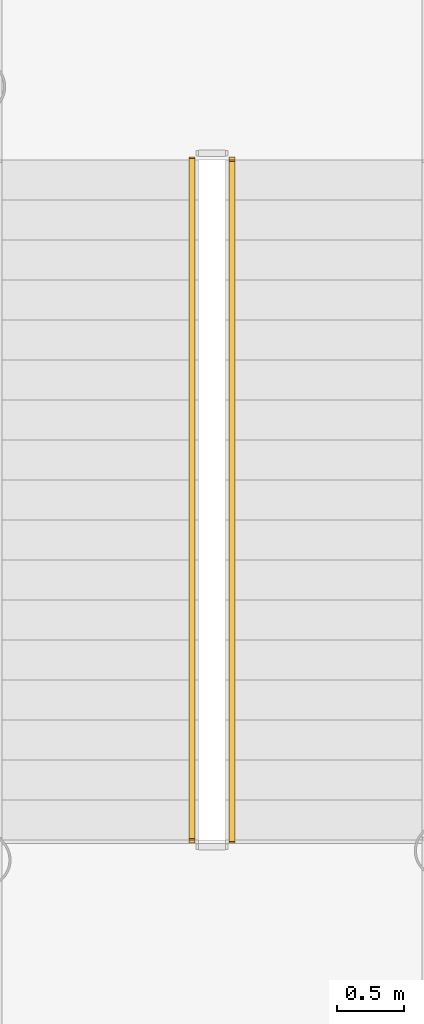
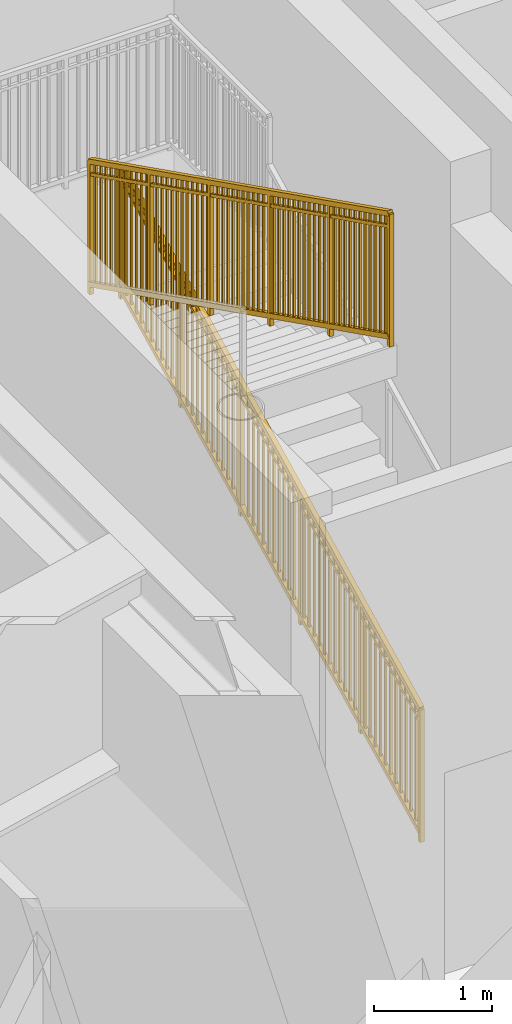
# One storey, part 31 of 39: 2 railings.
"""IFC4 building model written with IfcOpenShell, lengths in metres."""

from ifc_helpers import new_model, si_unit, direction, frame, origin, origin_2d, place, context, subcontext, project, spatial, rectangle, extrude, source, transform, mapped, material, type_object, element, save


model = new_model("IFC4")

# Units and contexts
model_context = context("Model", 3, precision=1e-05, world=origin(), true_north=direction((0.0, 1.0)))
body_context = subcontext(model_context, "Body", "Model", "MODEL_VIEW")
ifc_project = project(units=[si_unit("LENGTHUNIT", "METRE"), si_unit("AREAUNIT", "SQUARE_METRE"), si_unit("VOLUMEUNIT", "CUBIC_METRE"), si_unit("PLANEANGLEUNIT", "RADIAN"), si_unit("MASSUNIT", "GRAM", prefix="KILO")], contexts=[model_context])

# Site, building, storey
site_placement = place(None, origin())
site = spatial("IfcSite", under=ifc_project, at=site_placement, CompositionType="ELEMENT")
building_placement = place(site_placement, origin())
building = spatial("IfcBuilding", under=site, at=building_placement, Name="Linh Dai School and Residence Tower", CompositionType="ELEMENT")
storey_placement = place(building_placement, frame((0.0, 0.0, 27.0)))
storey = spatial("IfcBuildingStorey", under=building, at=storey_placement, Name="L06", CompositionType="ELEMENT", Elevation=27.0)

# Railings
ifc_material = material(Name="Structural Steel S355JR", Category="steel")
railing_type = type_object("IfcRailingType", Name="RL-ST-GUARD-1400", PredefinedType="GUARDRAIL", material=ifc_material)
shared_shape_1 = source(origin(), body_context, "Body", "SweptSolid", [
    extrude(rectangle(XDim=0.048095703125, YDim=0.048095703125, at=origin_2d()), frame((0.0, 0.0, 1.3759765625), z_axis=(0.0, 0.894427191, 0.4472135955), x_axis=(-1.0, 0.0, 0.0)), (0.0, 0.0, 1.0), 5.7021484375),
    extrude(rectangle(XDim=0.048095703125, YDim=0.048095703125, at=origin_2d()), frame((0.0, 0.0, 0.10009765625), z_axis=(0.0, 0.894427191, 0.4472135955), x_axis=(-1.0, 0.0, 0.0)), (0.0, 0.0, 1.0), 5.7021484375),
    extrude(rectangle(XDim=0.030029296875, YDim=0.030029296875, at=origin_2d()), frame((0.0, 0.0, 1.239990234375), z_axis=(0.0, 0.894427191, 0.4472135955), x_axis=(-1.0, 0.0, 0.0)), (0.0, 0.0, 1.0), 5.7021484375),
    extrude(rectangle(XDim=0.02001953125, YDim=0.02001953125, at=origin_2d()), frame((0.0, 0.08642578125, 0.143310546875)), (0.0, 0.0, 1.0), 1.251708984375),
    extrude(rectangle(XDim=0.02001953125, YDim=0.02001953125, at=origin_2d()), frame((0.0, 0.1728515625, 0.1865234375)), (0.0, 0.0, 1.0), 1.251708984375),
    extrude(rectangle(XDim=0.02001953125, YDim=0.02001953125, at=origin_2d()), frame((0.0, 0.25927734375, 0.229736328125)), (0.0, 0.0, 1.0), 1.251708984375),
    extrude(rectangle(XDim=0.02001953125, YDim=0.02001953125, at=origin_2d()), frame((0.0, 0.345703125, 0.27294921875)), (0.0, 0.0, 1.0), 1.251708984375),
    extrude(rectangle(XDim=0.02001953125, YDim=0.02001953125, at=origin_2d()), frame((0.0, 0.43212890625, 0.316162109375)), (0.0, 0.0, 1.0), 1.251708984375),
    extrude(rectangle(XDim=0.02001953125, YDim=0.02001953125, at=origin_2d()), frame((0.0, 0.5185546875, 0.359375)), (0.0, 0.0, 1.0), 1.251708984375),
    extrude(rectangle(XDim=0.02001953125, YDim=0.02001953125, at=origin_2d()), frame((0.0, 0.60498046875, 0.402587890625)), (0.0, 0.0, 1.0), 1.251708984375),
    extrude(rectangle(XDim=0.02001953125, YDim=0.02001953125, at=origin_2d()), frame((0.0, 0.691650390625, 0.44580078125)), (0.0, 0.0, 1.0), 1.251708984375),
    extrude(rectangle(XDim=0.02001953125, YDim=0.02001953125, at=origin_2d()), frame((0.0, 0.778076171875, 0.489013671875)), (0.0, 0.0, 1.0), 1.251708984375),
    extrude(rectangle(XDim=0.02001953125, YDim=0.02001953125, at=origin_2d()), frame((0.0, 0.864501953125, 0.5322265625)), (0.0, 0.0, 1.0), 1.251708984375),
    extrude(rectangle(XDim=0.02001953125, YDim=0.02001953125, at=origin_2d()), frame((0.0, 0.950927734375, 0.575439453125)), (0.0, 0.0, 1.0), 1.251708984375),
    extrude(rectangle(XDim=0.02001953125, YDim=0.02001953125, at=origin_2d()), frame((0.0, 1.123779296875, 0.661865234375)), (0.0, 0.0, 1.0), 1.251708984375),
    extrude(rectangle(XDim=0.02001953125, YDim=0.02001953125, at=origin_2d()), frame((0.0, 1.210205078125, 0.705078125)), (0.0, 0.0, 1.0), 1.251708984375),
    extrude(rectangle(XDim=0.02001953125, YDim=0.02001953125, at=origin_2d()), frame((0.0, 1.296630859375, 0.74853515625)), (0.0, 0.0, 1.0), 1.251708984375),
    extrude(rectangle(XDim=0.02001953125, YDim=0.02001953125, at=origin_2d()), frame((0.0, 1.383056640625, 0.791748046875)), (0.0, 0.0, 1.0), 1.251708984375),
    extrude(rectangle(XDim=0.02001953125, YDim=0.02001953125, at=origin_2d()), frame((0.0, 1.469482421875, 0.8349609375)), (0.0, 0.0, 1.0), 1.251708984375),
    extrude(rectangle(XDim=0.02001953125, YDim=0.02001953125, at=origin_2d()), frame((0.0, 1.555908203125, 0.878173828125)), (0.0, 0.0, 1.0), 1.251708984375),
    extrude(rectangle(XDim=0.02001953125, YDim=0.02001953125, at=origin_2d()), frame((0.0, 1.642333984375, 0.92138671875)), (0.0, 0.0, 1.0), 1.251708984375),
    extrude(rectangle(XDim=0.02001953125, YDim=0.02001953125, at=origin_2d()), frame((0.0, 1.728759765625, 0.964599609375)), (0.0, 0.0, 1.0), 1.251708984375),
    extrude(rectangle(XDim=0.02001953125, YDim=0.02001953125, at=origin_2d()), frame((0.0, 1.815185546875, 1.0078125)), (0.0, 0.0, 1.0), 1.251708984375),
    extrude(rectangle(XDim=0.02001953125, YDim=0.02001953125, at=origin_2d()), frame((0.0, 1.901611328125, 1.051025390625)), (0.0, 0.0, 1.0), 1.251708984375),
    extrude(rectangle(XDim=0.02001953125, YDim=0.02001953125, at=origin_2d()), frame((0.0, 1.98828125, 1.09423828125)), (0.0, 0.0, 1.0), 1.251708984375),
    extrude(rectangle(XDim=0.02001953125, YDim=0.02001953125, at=origin_2d()), frame((0.0, 2.1611328125, 1.1806640625)), (0.0, 0.0, 1.0), 1.251708984375),
    extrude(rectangle(XDim=0.02001953125, YDim=0.02001953125, at=origin_2d()), frame((0.0, 2.24755859375, 1.223876953125)), (0.0, 0.0, 1.0), 1.251708984375),
    extrude(rectangle(XDim=0.02001953125, YDim=0.02001953125, at=origin_2d()), frame((0.0, 2.333984375, 1.26708984375)), (0.0, 0.0, 1.0), 1.251708984375),
    extrude(rectangle(XDim=0.02001953125, YDim=0.02001953125, at=origin_2d()), frame((0.0, 2.42041015625, 1.310302734375)), (0.0, 0.0, 1.0), 1.251708984375),
    extrude(rectangle(XDim=0.02001953125, YDim=0.02001953125, at=origin_2d()), frame((0.0, 2.5068359375, 1.353515625)), (0.0, 0.0, 1.0), 1.251708984375),
    extrude(rectangle(XDim=0.02001953125, YDim=0.02001953125, at=origin_2d()), frame((0.0, 2.59326171875, 1.396728515625)), (0.0, 0.0, 1.0), 1.251708984375),
    extrude(rectangle(XDim=0.02001953125, YDim=0.02001953125, at=origin_2d()), frame((0.0, 2.6796875, 1.43994140625)), (0.0, 0.0, 1.0), 1.251708984375),
    extrude(rectangle(XDim=0.02001953125, YDim=0.02001953125, at=origin_2d()), frame((0.0, 2.76611328125, 1.483154296875)), (0.0, 0.0, 1.0), 1.251708984375),
    extrude(rectangle(XDim=0.02001953125, YDim=0.02001953125, at=origin_2d()), frame((0.0, 2.8525390625, 1.5263671875)), (0.0, 0.0, 1.0), 1.251708984375),
    extrude(rectangle(XDim=0.02001953125, YDim=0.02001953125, at=origin_2d()), frame((0.0, 2.93896484375, 1.569580078125)), (0.0, 0.0, 1.0), 1.251708984375),
    extrude(rectangle(XDim=0.02001953125, YDim=0.02001953125, at=origin_2d()), frame((0.0, 3.11181640625, 1.656005859375)), (0.0, 0.0, 1.0), 1.251708984375),
    extrude(rectangle(XDim=0.02001953125, YDim=0.02001953125, at=origin_2d()), frame((0.0, 3.198486328125, 1.69921875)), (0.0, 0.0, 1.0), 1.251708984375),
    extrude(rectangle(XDim=0.02001953125, YDim=0.02001953125, at=origin_2d()), frame((0.0, 3.284912109375, 1.742431640625)), (0.0, 0.0, 1.0), 1.251708984375),
    extrude(rectangle(XDim=0.02001953125, YDim=0.02001953125, at=origin_2d()), frame((0.0, 3.371337890625, 1.78564453125)), (0.0, 0.0, 1.0), 1.251708984375),
    extrude(rectangle(XDim=0.02001953125, YDim=0.02001953125, at=origin_2d()), frame((0.0, 3.457763671875, 1.828857421875)), (0.0, 0.0, 1.0), 1.251708984375),
    extrude(rectangle(XDim=0.02001953125, YDim=0.02001953125, at=origin_2d()), frame((0.0, 3.544189453125, 1.8720703125)), (0.0, 0.0, 1.0), 1.251708984375),
    extrude(rectangle(XDim=0.02001953125, YDim=0.02001953125, at=origin_2d()), frame((0.0, 3.630615234375, 1.915283203125)), (0.0, 0.0, 1.0), 1.251708984375),
    extrude(rectangle(XDim=0.02001953125, YDim=0.02001953125, at=origin_2d()), frame((0.0, 3.717041015625, 1.95849609375)), (0.0, 0.0, 1.0), 1.251708984375),
    extrude(rectangle(XDim=0.02001953125, YDim=0.02001953125, at=origin_2d()), frame((0.0, 3.803466796875, 2.001708984375)), (0.0, 0.0, 1.0), 1.251708984375),
    extrude(rectangle(XDim=0.02001953125, YDim=0.02001953125, at=origin_2d()), frame((0.0, 3.889892578125, 2.045166015625)), (0.0, 0.0, 1.0), 1.251708984375),
    extrude(rectangle(XDim=0.02001953125, YDim=0.02001953125, at=origin_2d()), frame((0.0, 3.976318359375, 2.08837890625)), (0.0, 0.0, 1.0), 1.251708984375),
    extrude(rectangle(XDim=0.02001953125, YDim=0.02001953125, at=origin_2d()), frame((0.0, 4.149169921875, 2.1748046875)), (0.0, 0.0, 1.0), 1.251708984375),
    extrude(rectangle(XDim=0.02001953125, YDim=0.02001953125, at=origin_2d()), frame((0.0, 4.235595703125, 2.218017578125)), (0.0, 0.0, 1.0), 1.251708984375),
    extrude(rectangle(XDim=0.02001953125, YDim=0.02001953125, at=origin_2d()), frame((0.0, 4.322021484375, 2.26123046875)), (0.0, 0.0, 1.0), 1.251708984375),
    extrude(rectangle(XDim=0.02001953125, YDim=0.02001953125, at=origin_2d()), frame((0.0, 4.408447265625, 2.304443359375)), (0.0, 0.0, 1.0), 1.251708984375),
    extrude(rectangle(XDim=0.02001953125, YDim=0.02001953125, at=origin_2d()), frame((0.0, 4.4951171875, 2.34765625)), (0.0, 0.0, 1.0), 1.251708984375),
    extrude(rectangle(XDim=0.02001953125, YDim=0.02001953125, at=origin_2d()), frame((0.0, 4.58154296875, 2.390869140625)), (0.0, 0.0, 1.0), 1.251708984375),
    extrude(rectangle(XDim=0.02001953125, YDim=0.02001953125, at=origin_2d()), frame((0.0, 4.66796875, 2.43408203125)), (0.0, 0.0, 1.0), 1.251708984375),
    extrude(rectangle(XDim=0.02001953125, YDim=0.02001953125, at=origin_2d()), frame((0.0, 4.75439453125, 2.477294921875)), (0.0, 0.0, 1.0), 1.251708984375),
    extrude(rectangle(XDim=0.02001953125, YDim=0.02001953125, at=origin_2d()), frame((0.0, 4.8408203125, 2.5205078125)), (0.0, 0.0, 1.0), 1.251708984375),
    extrude(rectangle(XDim=0.02001953125, YDim=0.02001953125, at=origin_2d()), frame((0.0, 4.92724609375, 2.563720703125)), (0.0, 0.0, 1.0), 1.251708984375),
    extrude(rectangle(XDim=0.02001953125, YDim=0.02001953125, at=origin_2d()), frame((0.0, 5.013671875, 2.60693359375)), (0.0, 0.0, 1.0), 1.251708984375),
    extrude(rectangle(XDim=0.0419921875, YDim=0.0419921875, at=origin_2d()), origin(), (0.0, 0.0, 1.0), 1.3759765625),
    extrude(rectangle(XDim=0.0419921875, YDim=0.0419921875, at=origin_2d()), frame((0.0, 1.02001953125, 0.510009765625)), (0.0, 0.0, 1.0), 1.3759765625),
    extrude(rectangle(XDim=0.0419921875, YDim=0.0419921875, at=origin_2d()), frame((0.0, 2.0400390625, 1.02001953125)), (0.0, 0.0, 1.0), 1.3759765625),
    extrude(rectangle(XDim=0.0419921875, YDim=0.0419921875, at=origin_2d()), frame((0.0, 3.06005859375, 1.530029296875)), (0.0, 0.0, 1.0), 1.3759765625),
    extrude(rectangle(XDim=0.0419921875, YDim=0.0419921875, at=origin_2d()), frame((0.0, 4.080078125, 2.0400390625)), (0.0, 0.0, 1.0), 1.3759765625),
    extrude(rectangle(XDim=0.0419921875, YDim=0.0419921875, at=origin_2d()), frame((0.0, 5.10009765625, 2.550048828125)), (0.0, 0.0, 1.0), 1.3759765625),
])
railing_1_placement = place(storey_placement, frame((29.47998046875, 25.699951171875, 0.14990234375)))
element("IfcRailing", 1, at=railing_1_placement, inside=storey, type_object=railing_type, Name="L06 ST1 stair guard 1", PredefinedType="GUARDRAIL", context=body_context, shape_type="MappedRepresentation", body=[
    mapped(shared_shape_1, transform((0.0, 0.0, 0.0), x_axis=(1.0, 0.0, 0.0), y_axis=(0.0, 1.0, 0.0), z_axis=(0.0, 0.0, 1.0), scale=1.0)),
])
shared_shape_2 = source(origin(), body_context, "Body", "SweptSolid", [
    extrude(rectangle(XDim=0.048095703125, YDim=0.048095703125, at=origin_2d()), frame((0.0, 0.0, 1.3759765625), z_axis=(0.0, -0.89444431709, 0.44717934168), x_axis=(1.0, 0.0, 0.0)), (0.0, 0.0, 1.0), 5.701904296875),
    extrude(rectangle(XDim=0.048095703125, YDim=0.048095703125, at=origin_2d()), frame((0.0, 0.0, 0.10009765625), z_axis=(0.0, -0.89444431709, 0.44717934168), x_axis=(1.0, 0.0, 0.0)), (0.0, 0.0, 1.0), 5.701904296875),
    extrude(rectangle(XDim=0.030029296875, YDim=0.030029296875, at=origin_2d()), frame((0.0, 0.0, 1.239990234375), z_axis=(0.0, -0.89444431709, 0.44717934168), x_axis=(1.0, 0.0, 0.0)), (0.0, 0.0, 1.0), 5.701904296875),
    extrude(rectangle(XDim=0.02001953125, YDim=0.02001953125, at=origin_2d()), frame((0.0, -0.08642578125, 0.143310546875)), (0.0, 0.0, 1.0), 1.251708984375),
    extrude(rectangle(XDim=0.02001953125, YDim=0.02001953125, at=origin_2d()), frame((0.0, -0.1728515625, 0.1865234375)), (0.0, 0.0, 1.0), 1.251708984375),
    extrude(rectangle(XDim=0.02001953125, YDim=0.02001953125, at=origin_2d()), frame((0.0, -0.25927734375, 0.229736328125)), (0.0, 0.0, 1.0), 1.251708984375),
    extrude(rectangle(XDim=0.02001953125, YDim=0.02001953125, at=origin_2d()), frame((0.0, -0.345703125, 0.27294921875)), (0.0, 0.0, 1.0), 1.251708984375),
    extrude(rectangle(XDim=0.02001953125, YDim=0.02001953125, at=origin_2d()), frame((0.0, -0.43212890625, 0.316162109375)), (0.0, 0.0, 1.0), 1.251708984375),
    extrude(rectangle(XDim=0.02001953125, YDim=0.02001953125, at=origin_2d()), frame((0.0, -0.5185546875, 0.359375)), (0.0, 0.0, 1.0), 1.251708984375),
    extrude(rectangle(XDim=0.02001953125, YDim=0.02001953125, at=origin_2d()), frame((0.0, -0.60498046875, 0.402587890625)), (0.0, 0.0, 1.0), 1.251708984375),
    extrude(rectangle(XDim=0.02001953125, YDim=0.02001953125, at=origin_2d()), frame((0.0, -0.691650390625, 0.44580078125)), (0.0, 0.0, 1.0), 1.251708984375),
    extrude(rectangle(XDim=0.02001953125, YDim=0.02001953125, at=origin_2d()), frame((0.0, -0.778076171875, 0.489013671875)), (0.0, 0.0, 1.0), 1.251708984375),
    extrude(rectangle(XDim=0.02001953125, YDim=0.02001953125, at=origin_2d()), frame((0.0, -0.864501953125, 0.5322265625)), (0.0, 0.0, 1.0), 1.251708984375),
    extrude(rectangle(XDim=0.02001953125, YDim=0.02001953125, at=origin_2d()), frame((0.0, -0.950927734375, 0.575439453125)), (0.0, 0.0, 1.0), 1.251708984375),
    extrude(rectangle(XDim=0.02001953125, YDim=0.02001953125, at=origin_2d()), frame((0.0, -1.123779296875, 0.661865234375)), (0.0, 0.0, 1.0), 1.251708984375),
    extrude(rectangle(XDim=0.02001953125, YDim=0.02001953125, at=origin_2d()), frame((0.0, -1.210205078125, 0.705078125)), (0.0, 0.0, 1.0), 1.251708984375),
    extrude(rectangle(XDim=0.02001953125, YDim=0.02001953125, at=origin_2d()), frame((0.0, -1.296630859375, 0.748291015625)), (0.0, 0.0, 1.0), 1.251708984375),
    extrude(rectangle(XDim=0.02001953125, YDim=0.02001953125, at=origin_2d()), frame((0.0, -1.383056640625, 0.79150390625)), (0.0, 0.0, 1.0), 1.251708984375),
    extrude(rectangle(XDim=0.02001953125, YDim=0.02001953125, at=origin_2d()), frame((0.0, -1.469482421875, 0.834716796875)), (0.0, 0.0, 1.0), 1.251708984375),
    extrude(rectangle(XDim=0.02001953125, YDim=0.02001953125, at=origin_2d()), frame((0.0, -1.555908203125, 0.8779296875)), (0.0, 0.0, 1.0), 1.251708984375),
    extrude(rectangle(XDim=0.02001953125, YDim=0.02001953125, at=origin_2d()), frame((0.0, -1.642333984375, 0.921142578125)), (0.0, 0.0, 1.0), 1.251708984375),
    extrude(rectangle(XDim=0.02001953125, YDim=0.02001953125, at=origin_2d()), frame((0.0, -1.728759765625, 0.96435546875)), (0.0, 0.0, 1.0), 1.251708984375),
    extrude(rectangle(XDim=0.02001953125, YDim=0.02001953125, at=origin_2d()), frame((0.0, -1.815185546875, 1.007568359375)), (0.0, 0.0, 1.0), 1.251708984375),
    extrude(rectangle(XDim=0.02001953125, YDim=0.02001953125, at=origin_2d()), frame((0.0, -1.901611328125, 1.05078125)), (0.0, 0.0, 1.0), 1.251708984375),
    extrude(rectangle(XDim=0.02001953125, YDim=0.02001953125, at=origin_2d()), frame((0.0, -1.98828125, 1.093994140625)), (0.0, 0.0, 1.0), 1.251708984375),
    extrude(rectangle(XDim=0.02001953125, YDim=0.02001953125, at=origin_2d()), frame((0.0, -2.1611328125, 1.180419921875)), (0.0, 0.0, 1.0), 1.251708984375),
    extrude(rectangle(XDim=0.02001953125, YDim=0.02001953125, at=origin_2d()), frame((0.0, -2.24755859375, 1.2236328125)), (0.0, 0.0, 1.0), 1.251708984375),
    extrude(rectangle(XDim=0.02001953125, YDim=0.02001953125, at=origin_2d()), frame((0.0, -2.333984375, 1.266845703125)), (0.0, 0.0, 1.0), 1.251708984375),
    extrude(rectangle(XDim=0.02001953125, YDim=0.02001953125, at=origin_2d()), frame((0.0, -2.42041015625, 1.31005859375)), (0.0, 0.0, 1.0), 1.251708984375),
    extrude(rectangle(XDim=0.02001953125, YDim=0.02001953125, at=origin_2d()), frame((0.0, -2.5068359375, 1.353271484375)), (0.0, 0.0, 1.0), 1.251708984375),
    extrude(rectangle(XDim=0.02001953125, YDim=0.02001953125, at=origin_2d()), frame((0.0, -2.59326171875, 1.396728515625)), (0.0, 0.0, 1.0), 1.251708984375),
    extrude(rectangle(XDim=0.02001953125, YDim=0.02001953125, at=origin_2d()), frame((0.0, -2.6796875, 1.43994140625)), (0.0, 0.0, 1.0), 1.251708984375),
    extrude(rectangle(XDim=0.02001953125, YDim=0.02001953125, at=origin_2d()), frame((0.0, -2.76611328125, 1.483154296875)), (0.0, 0.0, 1.0), 1.251708984375),
    extrude(rectangle(XDim=0.02001953125, YDim=0.02001953125, at=origin_2d()), frame((0.0, -2.8525390625, 1.5263671875)), (0.0, 0.0, 1.0), 1.251708984375),
    extrude(rectangle(XDim=0.02001953125, YDim=0.02001953125, at=origin_2d()), frame((0.0, -2.93896484375, 1.569580078125)), (0.0, 0.0, 1.0), 1.251708984375),
    extrude(rectangle(XDim=0.02001953125, YDim=0.02001953125, at=origin_2d()), frame((0.0, -3.11181640625, 1.656005859375)), (0.0, 0.0, 1.0), 1.251708984375),
    extrude(rectangle(XDim=0.02001953125, YDim=0.02001953125, at=origin_2d()), frame((0.0, -3.198486328125, 1.69921875)), (0.0, 0.0, 1.0), 1.251708984375),
    extrude(rectangle(XDim=0.02001953125, YDim=0.02001953125, at=origin_2d()), frame((0.0, -3.284912109375, 1.742431640625)), (0.0, 0.0, 1.0), 1.251708984375),
    extrude(rectangle(XDim=0.02001953125, YDim=0.02001953125, at=origin_2d()), frame((0.0, -3.371337890625, 1.78564453125)), (0.0, 0.0, 1.0), 1.251708984375),
    extrude(rectangle(XDim=0.02001953125, YDim=0.02001953125, at=origin_2d()), frame((0.0, -3.457763671875, 1.828857421875)), (0.0, 0.0, 1.0), 1.251708984375),
    extrude(rectangle(XDim=0.02001953125, YDim=0.02001953125, at=origin_2d()), frame((0.0, -3.544189453125, 1.8720703125)), (0.0, 0.0, 1.0), 1.251708984375),
    extrude(rectangle(XDim=0.02001953125, YDim=0.02001953125, at=origin_2d()), frame((0.0, -3.630615234375, 1.915283203125)), (0.0, 0.0, 1.0), 1.251708984375),
    extrude(rectangle(XDim=0.02001953125, YDim=0.02001953125, at=origin_2d()), frame((0.0, -3.717041015625, 1.95849609375)), (0.0, 0.0, 1.0), 1.251708984375),
    extrude(rectangle(XDim=0.02001953125, YDim=0.02001953125, at=origin_2d()), frame((0.0, -3.803466796875, 2.001708984375)), (0.0, 0.0, 1.0), 1.251708984375),
    extrude(rectangle(XDim=0.02001953125, YDim=0.02001953125, at=origin_2d()), frame((0.0, -3.889892578125, 2.044921875)), (0.0, 0.0, 1.0), 1.251708984375),
    extrude(rectangle(XDim=0.02001953125, YDim=0.02001953125, at=origin_2d()), frame((0.0, -3.976318359375, 2.088134765625)), (0.0, 0.0, 1.0), 1.251708984375),
    extrude(rectangle(XDim=0.02001953125, YDim=0.02001953125, at=origin_2d()), frame((0.0, -4.149169921875, 2.174560546875)), (0.0, 0.0, 1.0), 1.251708984375),
    extrude(rectangle(XDim=0.02001953125, YDim=0.02001953125, at=origin_2d()), frame((0.0, -4.235595703125, 2.2177734375)), (0.0, 0.0, 1.0), 1.251708984375),
    extrude(rectangle(XDim=0.02001953125, YDim=0.02001953125, at=origin_2d()), frame((0.0, -4.322021484375, 2.260986328125)), (0.0, 0.0, 1.0), 1.251708984375),
    extrude(rectangle(XDim=0.02001953125, YDim=0.02001953125, at=origin_2d()), frame((0.0, -4.408447265625, 2.30419921875)), (0.0, 0.0, 1.0), 1.251708984375),
    extrude(rectangle(XDim=0.02001953125, YDim=0.02001953125, at=origin_2d()), frame((0.0, -4.4951171875, 2.347412109375)), (0.0, 0.0, 1.0), 1.251708984375),
    extrude(rectangle(XDim=0.02001953125, YDim=0.02001953125, at=origin_2d()), frame((0.0, -4.58154296875, 2.390625)), (0.0, 0.0, 1.0), 1.251708984375),
    extrude(rectangle(XDim=0.02001953125, YDim=0.02001953125, at=origin_2d()), frame((0.0, -4.66796875, 2.433837890625)), (0.0, 0.0, 1.0), 1.251708984375),
    extrude(rectangle(XDim=0.02001953125, YDim=0.02001953125, at=origin_2d()), frame((0.0, -4.75439453125, 2.47705078125)), (0.0, 0.0, 1.0), 1.251708984375),
    extrude(rectangle(XDim=0.02001953125, YDim=0.02001953125, at=origin_2d()), frame((0.0, -4.8408203125, 2.520263671875)), (0.0, 0.0, 1.0), 1.251708984375),
    extrude(rectangle(XDim=0.02001953125, YDim=0.02001953125, at=origin_2d()), frame((0.0, -4.92724609375, 2.5634765625)), (0.0, 0.0, 1.0), 1.251708984375),
    extrude(rectangle(XDim=0.02001953125, YDim=0.02001953125, at=origin_2d()), frame((0.0, -5.013671875, 2.606689453125)), (0.0, 0.0, 1.0), 1.251708984375),
    extrude(rectangle(XDim=0.0419921875, YDim=0.0419921875, at=origin_2d()), origin(), (0.0, 0.0, 1.0), 1.3759765625),
    extrude(rectangle(XDim=0.0419921875, YDim=0.0419921875, at=origin_2d()), frame((0.0, -1.02001953125, 0.510009765625)), (0.0, 0.0, 1.0), 1.3759765625),
    extrude(rectangle(XDim=0.0419921875, YDim=0.0419921875, at=origin_2d()), frame((0.0, -2.0400390625, 1.02001953125)), (0.0, 0.0, 1.0), 1.3759765625),
    extrude(rectangle(XDim=0.0419921875, YDim=0.0419921875, at=origin_2d()), frame((0.0, -3.06005859375, 1.52978515625)), (0.0, 0.0, 1.0), 1.3759765625),
    extrude(rectangle(XDim=0.0419921875, YDim=0.0419921875, at=origin_2d()), frame((0.0, -4.080078125, 2.039794921875)), (0.0, 0.0, 1.0), 1.3759765625),
    extrude(rectangle(XDim=0.0419921875, YDim=0.0419921875, at=origin_2d()), frame((0.0, -5.10009765625, 2.5498046875)), (0.0, 0.0, 1.0), 1.3759765625),
])
railing_2_placement = place(storey_placement, frame((29.179931640625, 30.800048828125, 2.85009765625)))
element("IfcRailing", 2, at=railing_2_placement, inside=storey, type_object=railing_type, Name="L06 ST1 stair guard 6", PredefinedType="GUARDRAIL", context=body_context, shape_type="MappedRepresentation", body=[
    mapped(shared_shape_2, transform((0.0, 0.0, 0.0), x_axis=(1.0, 0.0, 0.0), y_axis=(0.0, 1.0, 0.0), z_axis=(0.0, 0.0, 1.0), scale=1.0)),
])

save(model, "model.ifc")
